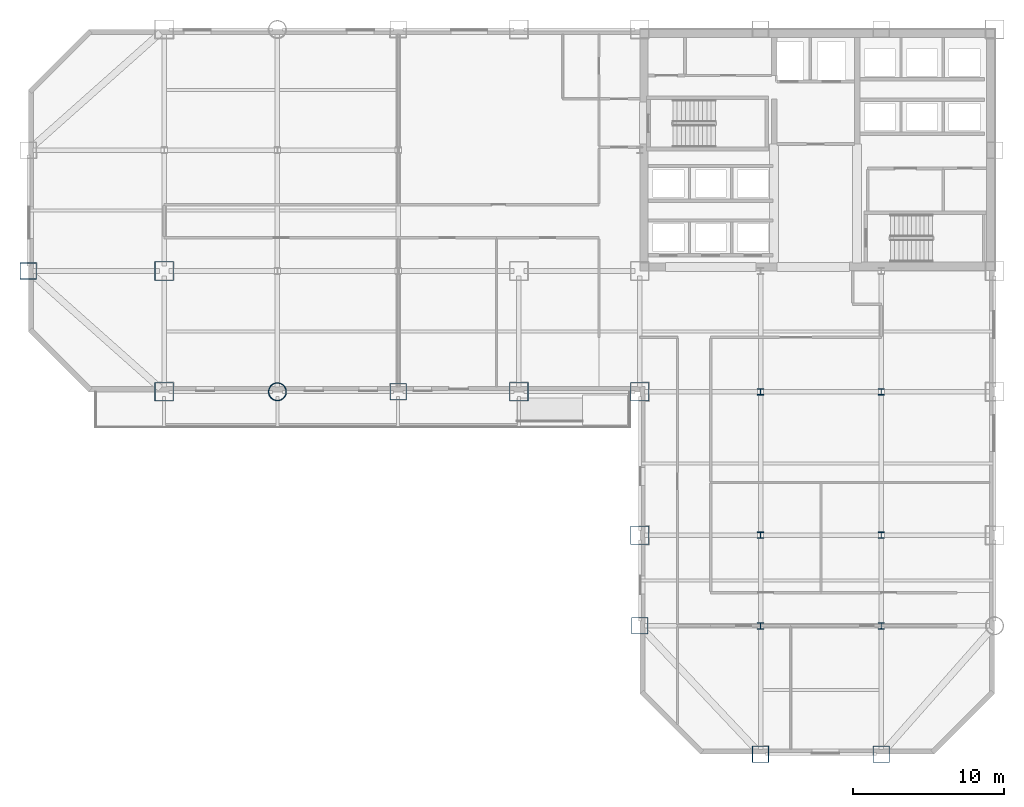
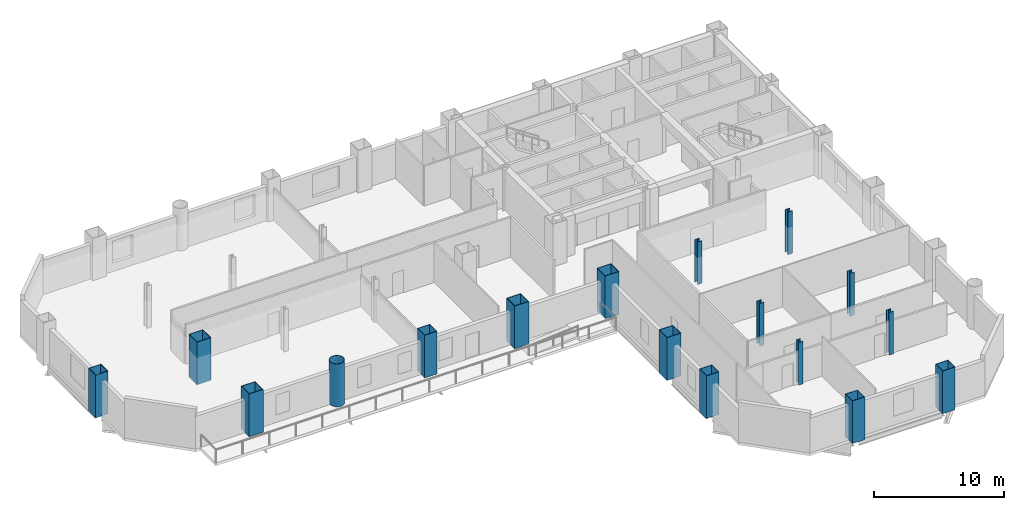
# One storey, part 1 of 9: 17 columns.
"""IFC4 building model written with IfcOpenShell, lengths in metres."""

import ifcopenshell
import ifcopenshell.guid

model = None  # the IFC model being written
_history = None  # IfcOwnerHistory: only IFC2X3 demands one
_inside = {}  # id of a spatial element -> (the spatial element, [elements in it])
_under = {}  # id of a project, library or spatial element -> (it, [spatial elements below it])
_declared = {}  # id of a project -> (the project, [libraries it declares])
_typed = {}  # id of a type object -> (the type object, [elements of that type])
_made_of = {}  # id of a material, layer set ... -> (it, [elements and type objects made of it])


def new_model(schema):
    """Start an empty IFC model of exactly this schema.

    Asked for "IFC4X3", IfcOpenShell would pick the latest addendum, in which some entities
    have other attributes; the version numbers below select the first issue.
    IFC2X3 requires an IfcOwnerHistory on every rooted entity: one is made here for all.
    """
    global model, _history
    if schema == "IFC4X3":
        model = ifcopenshell.file(schema_version=(4, 3, 0, 0))
    else:
        model = ifcopenshell.file(schema=schema)
    _inside.clear()
    _under.clear()
    _declared.clear()
    _typed.clear()
    _made_of.clear()
    _history = None
    if model.schema == "IFC2X3":
        org = make("IfcOrganization", Name="unknown")
        user = make(
            "IfcPersonAndOrganization",
            ThePerson=make("IfcPerson", FamilyName="unknown"),
            TheOrganization=org,
        )
        app = make(
            "IfcApplication",
            ApplicationDeveloper=org,
            Version="unknown",
            ApplicationFullName="unknown",
            ApplicationIdentifier="unknown",
        )
        _history = make(
            "IfcOwnerHistory",
            OwningUser=user,
            OwningApplication=app,
            ChangeAction="ADDED",
            CreationDate=0,
        )
    return model


def make(cls, **values):
    """One entity of the class cls with the attributes given. An attribute that is None is left unset."""
    return model.create_entity(
        cls, **{name: value for name, value in values.items() if value is not None}
    )


def rooted(cls, **values):
    """An entity with a GlobalId (a new one), such as an element, a storey or a relation."""
    return make(cls, GlobalId=ifcopenshell.guid.new(), OwnerHistory=_history, **values)


def si_unit(unit_type, name, prefix=None):
    """IfcSIUnit, for example si_unit("LENGTHUNIT", "METRE", prefix="MILLI")."""
    return make("IfcSIUnit", UnitType=unit_type, Prefix=prefix, Name=name)


def assignment(units):
    """IfcUnitAssignment: the units of a project."""
    return None if units is None else make("IfcUnitAssignment", Units=units)


def point(xyz):
    """IfcCartesianPoint."""
    return None if xyz is None else make("IfcCartesianPoint", Coordinates=xyz)


def direction(xyz):
    """IfcDirection."""
    return None if xyz is None else make("IfcDirection", DirectionRatios=xyz)


def frame(location, z_axis=None, x_axis=None):
    """IfcAxis2Placement3D, a coordinate frame: its origin and axes. An axis left out is left unset."""
    return make(
        "IfcAxis2Placement3D",
        Location=point(location),
        Axis=direction(z_axis),
        RefDirection=direction(x_axis),
    )


def frame_2d(location, x_axis=None):
    """IfcAxis2Placement2D, a coordinate frame in the plane: its origin and x axis."""
    return make(
        "IfcAxis2Placement2D", Location=point(location), RefDirection=direction(x_axis)
    )


def origin():
    """The frame at (0, 0, 0) with its axes left unset."""
    return frame((0.0, 0.0, 0.0))


def origin_2d():
    """The frame at (0, 0) in the plane with its x axis left unset."""
    return frame_2d((0.0, 0.0))


def place(relative_to, where):
    """IfcLocalPlacement: puts the frame where relative to a parent placement (None: the world)."""
    return make(
        "IfcLocalPlacement", PlacementRelTo=relative_to, RelativePlacement=where
    )


def context(
    kind, dimensions, precision=None, world=None, true_north=None, identifier=None
):
    """IfcGeometricRepresentationContext, for example the 3D "Model" context."""
    return make(
        "IfcGeometricRepresentationContext",
        ContextIdentifier=identifier,
        ContextType=kind,
        CoordinateSpaceDimension=dimensions,
        Precision=precision,
        WorldCoordinateSystem=world,
        TrueNorth=true_north,
    )


def subcontext(parent, identifier, kind, view, scale=None):
    """IfcGeometricRepresentationSubContext, for example "Body" below "Model"."""
    return make(
        "IfcGeometricRepresentationSubContext",
        ContextIdentifier=identifier,
        ContextType=kind,
        ParentContext=parent,
        TargetScale=scale,
        TargetView=view,
    )


def project(units=None, contexts=None):
    """IfcProject with its units and contexts."""
    return rooted(
        "IfcProject",
        Name="project",
        RepresentationContexts=contexts,
        UnitsInContext=assignment(units),
    )


def spatial(cls, under=None, at=None, **own):
    """A site, building, storey or space (cls), placed at a placement, below another one or the project."""
    s = rooted(cls, ObjectPlacement=at, **own)
    if under is not None:
        _under.setdefault(under.id(), (under, []))[1].append(s)
    return s


def profile(cls, at=None, kind="AREA", **sizes):
    """A parametric profile (cls). Its sizes go by their IFC names, for example OverallWidth=200.0."""
    return make(cls, ProfileType=kind, Position=at, **sizes)


def hollow_rectangle(**sizes):
    """IfcRectangleHollowProfileDef."""
    return profile("IfcRectangleHollowProfileDef", **sizes)


def hollow_circle(**sizes):
    """IfcCircleHollowProfileDef."""
    return profile("IfcCircleHollowProfileDef", **sizes)


def i_section(**sizes):
    """IfcIShapeProfileDef."""
    return profile("IfcIShapeProfileDef", **sizes)


def extrude(swept, where, along, depth):
    """IfcExtrudedAreaSolid: the profile swept, set in the frame where, extruded along a direction by depth."""
    return make(
        "IfcExtrudedAreaSolid",
        SweptArea=swept,
        Position=where,
        ExtrudedDirection=direction(along),
        Depth=depth,
    )


def shape(context_of_items, identifier, shape_type, items):
    """IfcShapeRepresentation: the items that make up one representation, for example the "Body"."""
    return make(
        "IfcShapeRepresentation",
        ContextOfItems=context_of_items,
        RepresentationIdentifier=identifier,
        RepresentationType=shape_type,
        Items=items,
    )


def material(Name=None, Category=None):
    """IfcMaterial."""
    return make("IfcMaterial", Name=Name, Category=Category)


def material_profile(
    of_material, cross_section, Name=None, Category=None, Priority=None
):
    """IfcMaterialProfile: a cross section and its material."""
    return make(
        "IfcMaterialProfile",
        Name=Name,
        Material=of_material,
        Profile=cross_section,
        Priority=Priority,
        Category=Category,
    )


def profile_set(profiles, Name=None, composite=None):
    """IfcMaterialProfileSet."""
    return make(
        "IfcMaterialProfileSet",
        Name=Name,
        MaterialProfiles=profiles,
        CompositeProfile=composite,
    )


def made_of(thing, what):
    """Note that an element or type object is made of a material, layer set ...; save() writes the relation."""
    if what is not None:
        _made_of.setdefault(what.id(), (what, []))[1].append(thing)
    return thing


def type_object(cls, material=None, **own):
    """A type object (cls), such as IfcWallType, which elements share."""
    return made_of(rooted(cls, **own), material)


def element(
    cls,
    number,
    at=None,
    inside=None,
    cuts=None,
    type_object=None,
    material=None,
    context=None,
    identifier="Body",
    shape_type=None,
    held_by="IfcProductDefinitionShape",
    body=None,
    shapes=None,
    **own,
):
    """One element of the class cls, such as IfcWall. Its Tag is "e" and its number.

    at: its placement. inside: the storey or other place that contains it. cuts: it is an
    opening in that element (IfcRelVoidsElement). A single representation is given by context,
    identifier, shape_type and body (its items); several are given by shapes. held_by: the class
    of the entity that holds the representations. save() writes the other relations.
    """
    e = rooted(cls, Tag="e%d" % number, ObjectPlacement=at, **own)
    if body is not None:
        shapes = [shape(context, identifier, shape_type, body)]
    if shapes is not None:
        e.Representation = make(held_by, Representations=shapes)
    if inside is not None:
        _inside.setdefault(inside.id(), (inside, []))[1].append(e)
    if cuts is not None:
        rooted(
            "IfcRelVoidsElement", RelatingBuildingElement=cuts, RelatedOpeningElement=e
        )
    if type_object is not None:
        _typed.setdefault(type_object.id(), (type_object, []))[1].append(e)
    return made_of(e, material)


def aggregate(whole, parts):
    """IfcRelAggregates: a whole, such as a stair, and the parts it consists of."""
    return rooted("IfcRelAggregates", RelatingObject=whole, RelatedObjects=parts)


def save(model, path):
    """Write the relations noted so far, then the file.

    IfcRelAggregates (storeys below a building ...), IfcRelContainedInSpatialStructure (elements
    in a storey), IfcRelDefinesByType, IfcRelAssociatesMaterial and IfcRelDeclares: one each for
    every whole, place, type object, material and project.
    """
    for whole, parts in _under.values():
        aggregate(whole, parts)
    for where, things in _inside.values():
        rooted(
            "IfcRelContainedInSpatialStructure",
            RelatedElements=things,
            RelatingStructure=where,
        )
    for kind, things in _typed.values():
        rooted("IfcRelDefinesByType", RelatedObjects=things, RelatingType=kind)
    for what, things in _made_of.values():
        rooted("IfcRelAssociatesMaterial", RelatedObjects=things, RelatingMaterial=what)
    for by, libraries in _declared.values():
        rooted("IfcRelDeclares", RelatingContext=by, RelatedDefinitions=libraries)
    model.write(path)


model = new_model("IFC4")

# Units and contexts
model_context = context("Model", 3, precision=1e-05, world=origin(), true_north=direction((0.0, 1.0)))
body_context = subcontext(model_context, "Body", "Model", "MODEL_VIEW")
ifc_project = project(units=[si_unit("LENGTHUNIT", "METRE"), si_unit("AREAUNIT", "SQUARE_METRE"), si_unit("VOLUMEUNIT", "CUBIC_METRE"), si_unit("PLANEANGLEUNIT", "RADIAN"), si_unit("MASSUNIT", "GRAM", prefix="KILO")], contexts=[model_context])

# Site, building, storey
site_placement = place(None, origin())
site = spatial("IfcSite", under=ifc_project, at=site_placement, CompositionType="ELEMENT")
building_placement = place(site_placement, origin())
building = spatial("IfcBuilding", under=site, at=building_placement, Name="Qianrong Seaharbour Tower", CompositionType="ELEMENT")
storey_placement = place(building_placement, frame((0.0, 0.0, 64.199951171875)))
storey = spatial("IfcBuildingStorey", under=building, at=storey_placement, Name="L15", CompositionType="ELEMENT", Elevation=64.199951171875)

# Columns
ifc_material = material(Name="Structural steel SN490B", Category="steel")
ifc_material_profile_1 = material_profile(ifc_material, hollow_rectangle(XDim=1.25, YDim=1.25, WallThickness=0.044921875, at=origin_2d()), Name="BOX1250x1250x45")
ifc_profile_set_1 = profile_set([ifc_material_profile_1], Name="Structural steel SN490B")
column_type_1 = type_object("IfcColumnType", Name="COL-CFT-1250", PredefinedType="COLUMN", material=ifc_profile_set_1)
for number, where, z_axis, x_axis, name in (
    (1, (9.0, 28.0, 0.0), (0.0, 0.0, 1.0), (1.0, 0.0, 0.0), "L15 Column MC-2 at G2/GE"),
    (2, (9.0, 36.0, 0.0), (0.0, 0.0, 1.0), (1.0, 0.0, 0.0), "L15 Column MC-2 at G2/GF"),
    (3, (32.5, 28.0, 0.0), (0.0, 0.0, 1.0), (1.0, 0.0, 0.0), "L15 Column MC-2 at G5/GE"),
    (4, (40.5, 18.5, 0.0), (0.0, 0.0, 1.0), (1.0, 0.0, 0.0), "L15 Column MC-2 at G6/GD"),
    (5, (40.5, 28.0, 0.0), (0.0, 0.0, 1.0), (1.0, 0.0, 0.0), "L15 Column MC-2 at G6/GE"),
):
    element("IfcColumn", number, at=place(storey_placement, frame(where, z_axis=z_axis, x_axis=x_axis)), inside=storey, type_object=column_type_1, Name=name, PredefinedType="COLUMN", context=body_context, shape_type="SweptSolid", body=[
        extrude(hollow_rectangle(XDim=1.25, YDim=1.25, WallThickness=0.044921875, at=origin_2d()), origin(), (0.0, 0.0, 1.0), 4.0),
    ])
ifc_material_profile_2 = material_profile(ifc_material, hollow_circle(Radius=0.60009765625, WallThickness=0.0400390625, at=origin_2d()), Name="CHS1200x40")
ifc_profile_set_2 = profile_set([ifc_material_profile_2], Name="Structural steel SN490B")
column_type_2 = type_object("IfcColumnType", Name="COL-CHS-1200", PredefinedType="COLUMN", material=ifc_profile_set_2)
column_placement = place(storey_placement, frame((16.5, 28.0, 0.0), z_axis=(0.0, 0.0, 1.0), x_axis=(1.0, 0.0, 0.0)))
element("IfcColumn", 6, at=column_placement, inside=storey, type_object=column_type_2, Name="L15 Column CC-1 at G3/GE", PredefinedType="COLUMN", context=body_context, shape_type="SweptSolid", body=[
    extrude(hollow_circle(Radius=0.60009765625, WallThickness=0.0400390625, at=origin_2d()), origin(), (0.0, 0.0, 1.0), 4.0),
])
ifc_material_profile_3 = material_profile(ifc_material, i_section(OverallWidth=0.406982421875, OverallDepth=0.427978515625, WebThickness=0.02001953125, FlangeThickness=0.034912109375, FilletRadius=0.02197265625, at=origin_2d()), Name="H428x407x20x35")
ifc_profile_set_3 = profile_set([ifc_material_profile_3], Name="Structural steel SN490B")
column_type_3 = type_object("IfcColumnType", Name="COL-INT-H428", PredefinedType="COLUMN", material=ifc_profile_set_3)
for number, where, z_axis, x_axis, name in (
    (7, (48.5, 12.5, 0.0), (0.0, 0.0, 1.0), (1.0, 0.0, 0.0), "L15 Column IC-2 at G7/GC"),
    (8, (48.5, 18.5, 0.0), (0.0, 0.0, 1.0), (1.0, 0.0, 0.0), "L15 Column IC-2 at G7/GD"),
    (9, (48.5, 28.0, 0.0), (0.0, 0.0, 1.0), (1.0, 0.0, 0.0), "L15 Column IC-2 at G7/GE"),
    (10, (56.5, 12.5, 0.0), (0.0, 0.0, 1.0), (1.0, 0.0, 0.0), "L15 Column IC-2 at G8/GC"),
    (11, (56.5, 18.5, 0.0), (0.0, 0.0, 1.0), (1.0, 0.0, 0.0), "L15 Column IC-2 at G8/GD"),
    (12, (56.5, 28.0, 0.0), (0.0, 0.0, 1.0), (1.0, 0.0, 0.0), "L15 Column IC-2 at G8/GE"),
):
    element("IfcColumn", number, at=place(storey_placement, frame(where, z_axis=z_axis, x_axis=x_axis)), inside=storey, type_object=column_type_3, Name=name, PredefinedType="COLUMN", context=body_context, shape_type="SweptSolid", body=[
        extrude(i_section(OverallWidth=0.406982421875, OverallDepth=0.427978515625, WebThickness=0.02001953125, FlangeThickness=0.034912109375, FilletRadius=0.02197265625, at=origin_2d()), origin(), (0.0, 0.0, 1.0), 4.0),
    ])
ifc_material_profile_4 = material_profile(ifc_material, hollow_rectangle(XDim=1.10009765625, YDim=1.10009765625, WallThickness=0.0400390625, at=origin_2d()), Name="BOX1100x1100x40")
ifc_profile_set_4 = profile_set([ifc_material_profile_4], Name="Structural steel SN490B")
column_type_4 = type_object("IfcColumnType", Name="COL-PER-1100", PredefinedType="COLUMN", material=ifc_profile_set_4)
for number, where, z_axis, x_axis, name in (
    (13, (0.0, 36.0, 0.0), (0.0, 0.0, 1.0), (1.0, 0.0, 0.0), "L15 Column PC-1 at G1/GF"),
    (14, (24.5, 28.0, 0.0), (0.0, 0.0, 1.0), (1.0, 0.0, 0.0), "L15 Column PC-1 at G4/GE"),
    (15, (40.5, 12.5, 0.0), (0.0, 0.0, 1.0), (1.0, 0.0, 0.0), "L15 Column PC-1 at G6/GC"),
    (16, (48.5, 4.0, 0.0), (0.0, 0.0, 1.0), (1.0, 0.0, 0.0), "L15 Column PC-1 at G7/GB"),
    (17, (56.5, 4.0, 0.0), (0.0, 0.0, 1.0), (1.0, 0.0, 0.0), "L15 Column PC-1 at G8/GB"),
):
    element("IfcColumn", number, at=place(storey_placement, frame(where, z_axis=z_axis, x_axis=x_axis)), inside=storey, type_object=column_type_4, Name=name, PredefinedType="COLUMN", context=body_context, shape_type="SweptSolid", body=[
        extrude(hollow_rectangle(XDim=1.10009765625, YDim=1.10009765625, WallThickness=0.0400390625, at=origin_2d()), origin(), (0.0, 0.0, 1.0), 4.0),
    ])

save(model, "model.ifc")
